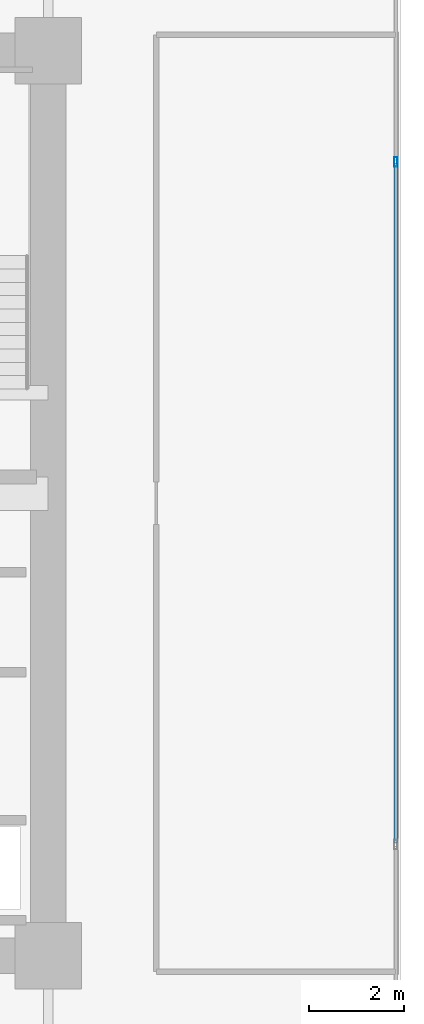
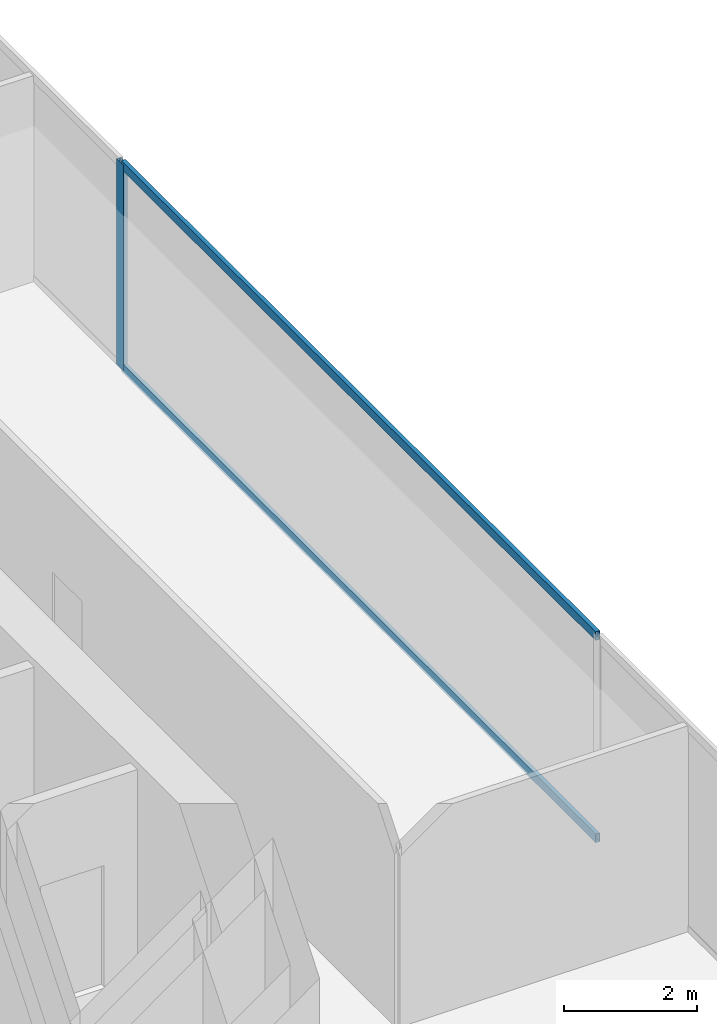
# One storey, part 25 of 37: 3 members, 1 element without a shape of its own.
"""IFC4 building model written with IfcOpenShell, lengths in metres."""

from ifc_helpers import new_model, si_unit, direction, frame, origin, origin_2d, place, context, subcontext, project, spatial, hollow_rectangle, extrude, source, transform, mapped, material, layer, layer_set, material_profile, profile_set, type_object, type_shapes, element, aggregate, save


model = new_model("IFC4")

# Units and contexts
model_context = context("Model", 3, precision=1e-05, world=origin(), true_north=direction((0.0, 1.0)))
body_context = subcontext(model_context, "Body", "Model", "MODEL_VIEW")
ifc_project = project(units=[si_unit("LENGTHUNIT", "METRE"), si_unit("AREAUNIT", "SQUARE_METRE"), si_unit("VOLUMEUNIT", "CUBIC_METRE"), si_unit("PLANEANGLEUNIT", "RADIAN"), si_unit("MASSUNIT", "GRAM", prefix="KILO")], contexts=[model_context])

# Site, building, storey
site_placement = place(None, origin())
site = spatial("IfcSite", under=ifc_project, at=site_placement, CompositionType="ELEMENT")
building_placement = place(site_placement, origin())
building = spatial("IfcBuilding", under=site, at=building_placement, Name="Haelvirn Gate Laboratories", CompositionType="ELEMENT")
storey_placement = place(building_placement, frame((0.0, 0.0, 74.39990234375)))
storey = spatial("IfcBuildingStorey", under=building, at=storey_placement, Name="L18", CompositionType="ELEMENT", Elevation=74.39990234375)

# Curtain wall, members
ifc_material_1 = material(Name="Anodised bronze unitised aluminium & triple low-E glass", Category="aluminium")
ifc_layer = layer(ifc_material_1, 0.18408203125, Name="CW-SYS-2")
ifc_layer_set = layer_set([ifc_layer], Name="Anodised bronze unitised aluminium & triple low-E glass")
curtain_wall_type = type_object("IfcCurtainWallType", Name="CW-SYS-2", PredefinedType="NOTDEFINED", material=ifc_layer_set)
curtain_wall_placement = place(storey_placement, origin())
curtain_wall = element("IfcCurtainWall", 1, at=curtain_wall_placement, inside=storey, type_object=curtain_wall_type, Name="L18 Unitised Curtain Wall CW-L18-P0-E07", PredefinedType="NOTDEFINED")
ifc_material_2 = material(Name="Extruded aluminium 6063-T6 (anodised bronze)", Category="aluminium")
ifc_material_profile_1 = material_profile(ifc_material_2, hollow_rectangle(XDim=0.074951171875, YDim=0.199951171875, WallThickness=0.0048828125, at=origin_2d()), Name="CWM-200x75x5")
ifc_profile_set_1 = profile_set([ifc_material_profile_1], Name="Extruded aluminium 6063-T6 (anodised bronze)")
member_type_1 = type_object("IfcMemberType", Name="CWM-T200", PredefinedType="MULLION", material=ifc_profile_set_1)
shared_shape_1 = source(origin(), body_context, "Body", "SweptSolid", [
    extrude(hollow_rectangle(XDim=0.074951171875, YDim=0.199951171875, WallThickness=0.0048828125, at=origin_2d()), origin(), (0.0, 0.0, 1.0), 3.780029296875),
])
type_shapes(member_type_1, [shared_shape_1])
member_1_placement = place(storey_placement, frame((74.699951171875, 31.466552734375, 0.0), z_axis=(0.0, 0.0, 1.0), x_axis=(-1.0, 0.0, 0.0)))
member_1 = element("IfcMember", 2, at=member_1_placement, type_object=member_type_1, Name="CW2 mullion 3", PredefinedType="MULLION", context=body_context, shape_type="MappedRepresentation", body=[
    mapped(shared_shape_1, transform((0.0, 0.0, 0.0), scale=1.0)),
])
ifc_material_profile_2 = material_profile(ifc_material_2, hollow_rectangle(XDim=0.070068359375, YDim=0.159912109375, WallThickness=0.0048828125, at=origin_2d()), Name="CWT-160x70x5")
ifc_profile_set_2 = profile_set([ifc_material_profile_2], Name="Extruded aluminium 6063-T6 (anodised bronze)")
member_type_2 = type_object("IfcMemberType", Name="CWT-T160", PredefinedType="USERDEFINED", material=ifc_profile_set_2)
shared_shape_2 = source(origin(), body_context, "Body", "SweptSolid", [
    extrude(hollow_rectangle(XDim=0.070068359375, YDim=0.159912109375, WallThickness=0.0048828125, at=origin_2d()), origin(), (0.0, 0.0, 1.0), 14.25830078125),
])
type_shapes(member_type_2, [shared_shape_2])
member_2_placement = place(storey_placement, frame((74.699951171875, 17.1708984375, 0.03515625), z_axis=(0.0, 1.0, 0.0), x_axis=(-1.0, 0.0, 0.0)))
member_2 = element("IfcMember", 3, at=member_2_placement, type_object=member_type_2, Name="CW2 transom 2.1", ObjectType="TRANSOM", PredefinedType="USERDEFINED", context=body_context, shape_type="MappedRepresentation", body=[
    mapped(shared_shape_2, transform((0.0, 0.0, 0.0), scale=1.0)),
])
member_3_placement = place(storey_placement, frame((74.699951171875, 17.1708984375, 3.7451171875), z_axis=(0.0, 1.0, 0.0), x_axis=(-1.0, 0.0, 0.0)))
member_3 = element("IfcMember", 4, at=member_3_placement, type_object=member_type_2, Name="CW2 transom 2.2", ObjectType="TRANSOM", PredefinedType="USERDEFINED", context=body_context, shape_type="MappedRepresentation", body=[
    mapped(shared_shape_2, transform((0.0, 0.0, 0.0), scale=1.0)),
])
aggregate(curtain_wall, [member_1, member_2, member_3])

save(model, "model.ifc")
